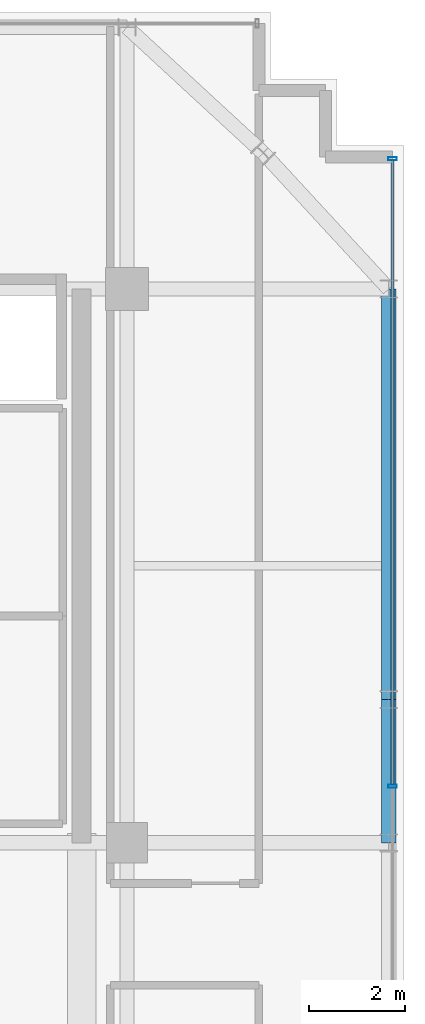
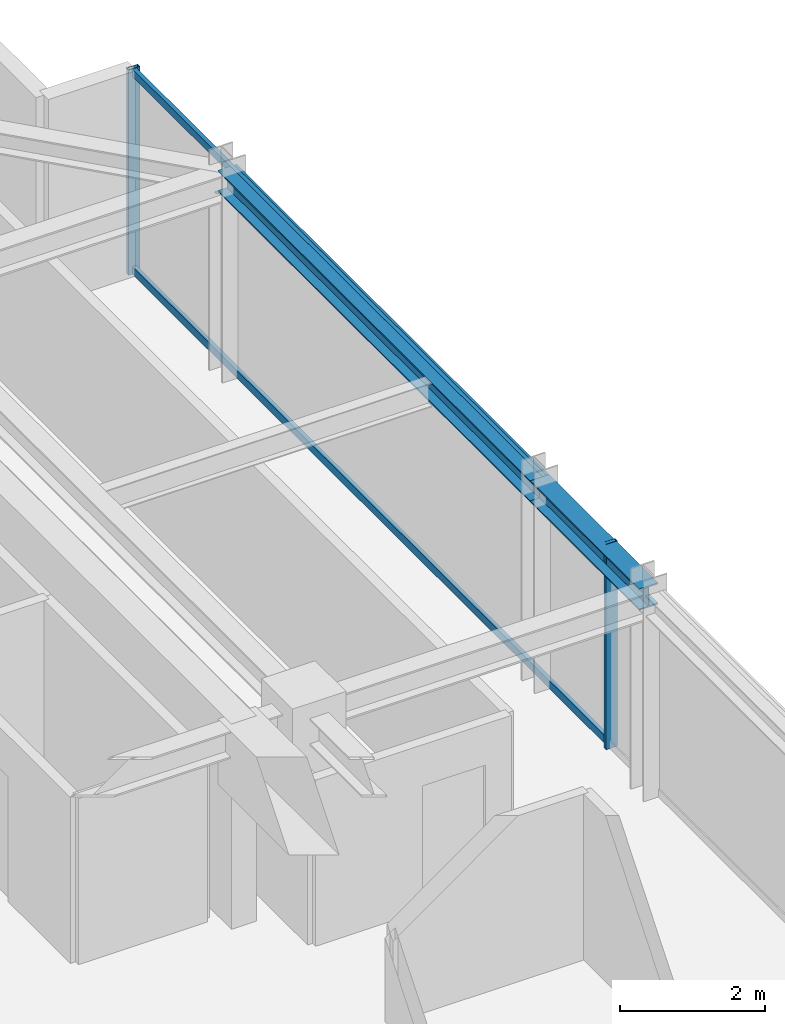
# One storey, part 22 of 31: 4 members, 2 beams, 1 element without a shape of its own.
"""IFC4 building model written with IfcOpenShell, lengths in metres."""

from ifc_helpers import new_model, si_unit, direction, frame, origin, origin_2d, place, context, subcontext, project, spatial, hollow_rectangle, i_section, extrude, source, transform, mapped, material, material_profile, profile_set, type_object, element, aggregate, save


model = new_model("IFC4")

# Units and contexts
model_context = context("Model", 3, precision=1e-05, world=origin(), true_north=direction((0.0, 1.0)))
body_context = subcontext(model_context, "Body", "Model", "MODEL_VIEW")
ifc_project = project(units=[si_unit("LENGTHUNIT", "METRE"), si_unit("AREAUNIT", "SQUARE_METRE"), si_unit("VOLUMEUNIT", "CUBIC_METRE"), si_unit("PLANEANGLEUNIT", "RADIAN"), si_unit("MASSUNIT", "GRAM", prefix="KILO")], contexts=[model_context])

# Site, building, storey
site_placement = place(None, origin())
site = spatial("IfcSite", under=ifc_project, at=site_placement, CompositionType="ELEMENT")
building_placement = place(site_placement, origin())
building = spatial("IfcBuilding", under=site, at=building_placement, Name="Nahalor Promenade Grand Hotel", CompositionType="ELEMENT")
storey_placement = place(building_placement, frame((0.0, 0.0, 277.550048828125)))
storey = spatial("IfcBuildingStorey", under=building, at=storey_placement, Name="L71", CompositionType="ELEMENT", Elevation=277.550048828125)

# Beams
ifc_material_1 = material(Name="Steel S355JR", Category="steel")
ifc_material_profile_1 = material_profile(ifc_material_1, i_section(OverallWidth=0.3, OverallDepth=0.36, WebThickness=0.0125, FlangeThickness=0.0225, at=origin_2d()), Name="HEB 360")
ifc_profile_set_1 = profile_set([ifc_material_profile_1], Name="Steel S355JR")
beam_type = type_object("IfcBeamType", Name="Beam-Spandrel-HEB360", PredefinedType="SPANDREL", material=ifc_profile_set_1)
shared_shape_1 = source(origin(), body_context, "Body", "SweptSolid", [
    extrude(i_section(OverallWidth=0.3, OverallDepth=0.36, WebThickness=0.0125, FlangeThickness=0.0225, at=origin_2d()), origin(), (0.0, 0.0, 1.0), 8.60009765625),
])
beam_1_placement = place(storey_placement, frame((22.47998046875, 8.39990234375, 3.27001953125), z_axis=(0.0, 1.0, 0.0), x_axis=(-1.0, 0.0, 0.0)))
element("IfcBeam", 1, at=beam_1_placement, inside=storey, type_object=beam_type, Name="BM-L71-SP-E-4", PredefinedType="SPANDREL", context=body_context, shape_type="MappedRepresentation", body=[
    mapped(shared_shape_1, transform((0.0, 0.0, 0.0), scale=1.0)),
])
shared_shape_2 = source(origin(), body_context, "Body", "SweptSolid", [
    extrude(i_section(OverallWidth=0.3, OverallDepth=0.36, WebThickness=0.0125, FlangeThickness=0.0225, at=origin_2d()), origin(), (0.0, 0.0, 1.0), 3.0),
])
beam_2_placement = place(storey_placement, frame((22.47998046875, 5.39990234375, 3.27001953125), z_axis=(0.0, 1.0, 0.0), x_axis=(-1.0, 0.0, 0.0)))
element("IfcBeam", 2, at=beam_2_placement, inside=storey, type_object=beam_type, Name="BM-L71-SP-E-3", PredefinedType="SPANDREL", context=body_context, shape_type="MappedRepresentation", body=[
    mapped(shared_shape_2, transform((0.0, 0.0, 0.0), scale=1.0)),
])

# Curtain wall, members
ifc_material_2 = material(Name="Anodised Bronze Aluminium EN AW-6063 T6", Category="aluminium")
curtain_wall_type = type_object("IfcCurtainWallType", Name="CW2 Typical Hotel Flush Bronze Unitised Curtain Wall", PredefinedType="USERDEFINED", material=ifc_material_2)
curtain_wall_placement = place(storey_placement, origin())
curtain_wall = element("IfcCurtainWall", 3, at=curtain_wall_placement, inside=storey, type_object=curtain_wall_type, Name="L71 Curtain Wall CW-L71-E-1", ObjectType="UNITISED_CURTAIN_WALL", PredefinedType="USERDEFINED")
ifc_material_profile_2 = material_profile(ifc_material_2, hollow_rectangle(XDim=0.065, YDim=0.13, WallThickness=0.004, at=origin_2d()), Name="CWT 65x130x4")
ifc_profile_set_2 = profile_set([ifc_material_profile_2], Name="Anodised Bronze Aluminium EN AW-6063 T6")
member_type_1 = type_object("IfcMemberType", Name="CWT2 Typical Bronze Transom 65x130", PredefinedType="USERDEFINED", material=ifc_profile_set_2)
shared_shape_3 = source(origin(), body_context, "Body", "SweptSolid", [
    extrude(hollow_rectangle(XDim=0.065, YDim=0.13, WallThickness=0.004, at=origin_2d()), origin(), (0.0, 0.0, 1.0), 13.075927734375),
])
member_1_placement = place(storey_placement, frame((22.56005859375, 6.619140625, 0.06494140625), z_axis=(0.0, 1.0, 0.0), x_axis=(-1.0, 0.0, 0.0)))
member_1 = element("IfcMember", 4, at=member_1_placement, type_object=member_type_1, Name="CW-L71-E-1 Transom 2-0", ObjectType="TRANSOM", PredefinedType="USERDEFINED", context=body_context, shape_type="MappedRepresentation", body=[
    mapped(shared_shape_3, transform((0.0, 0.0, 0.0), scale=1.0)),
])
member_2_placement = place(storey_placement, frame((22.56005859375, 6.619140625, 3.385009765625), z_axis=(0.0, 1.0, 0.0), x_axis=(-1.0, 0.0, 0.0)))
member_2 = element("IfcMember", 5, at=member_2_placement, type_object=member_type_1, Name="CW-L71-E-1 Transom 2-1", ObjectType="TRANSOM", PredefinedType="USERDEFINED", context=body_context, shape_type="MappedRepresentation", body=[
    mapped(shared_shape_3, transform((0.0, 0.0, 0.0), scale=1.0)),
])
ifc_material_profile_3 = material_profile(ifc_material_2, hollow_rectangle(XDim=0.065, YDim=0.18, WallThickness=0.004, at=origin_2d()), Name="CWM 65x180x4")
ifc_profile_set_3 = profile_set([ifc_material_profile_3], Name="Anodised Bronze Aluminium EN AW-6063 T6")
member_type_2 = type_object("IfcMemberType", Name="CWM2 Typical Bronze Mullion 65x180", PredefinedType="MULLION", material=ifc_profile_set_3)
shared_shape_4 = source(origin(), body_context, "Body", "SweptSolid", [
    extrude(hollow_rectangle(XDim=0.065, YDim=0.18, WallThickness=0.004, at=origin_2d()), origin(), (0.0, 0.0, 1.0), 3.449951171875),
])
member_3_placement = place(storey_placement, frame((22.56005859375, 6.586669921875, 0.0), z_axis=(0.0, 0.0, 1.0), x_axis=(0.0, 1.0, 0.0)))
member_3 = element("IfcMember", 6, at=member_3_placement, type_object=member_type_2, Name="CW-L71-E-1 Mullion 2", PredefinedType="MULLION", context=body_context, shape_type="MappedRepresentation", body=[
    mapped(shared_shape_4, transform((0.0, 0.0, 0.0), scale=1.0)),
])
member_4_placement = place(storey_placement, frame((22.56005859375, 19.7275390625, 0.0), z_axis=(0.0, 0.0, 1.0), x_axis=(0.0, 1.0, 0.0)))
member_4 = element("IfcMember", 7, at=member_4_placement, type_object=member_type_2, Name="CW-L71-E-1 Mullion 3", PredefinedType="MULLION", context=body_context, shape_type="MappedRepresentation", body=[
    mapped(shared_shape_4, transform((0.0, 0.0, 0.0), scale=1.0)),
])
aggregate(curtain_wall, [member_3, member_4, member_1, member_2])

save(model, "model.ifc")
